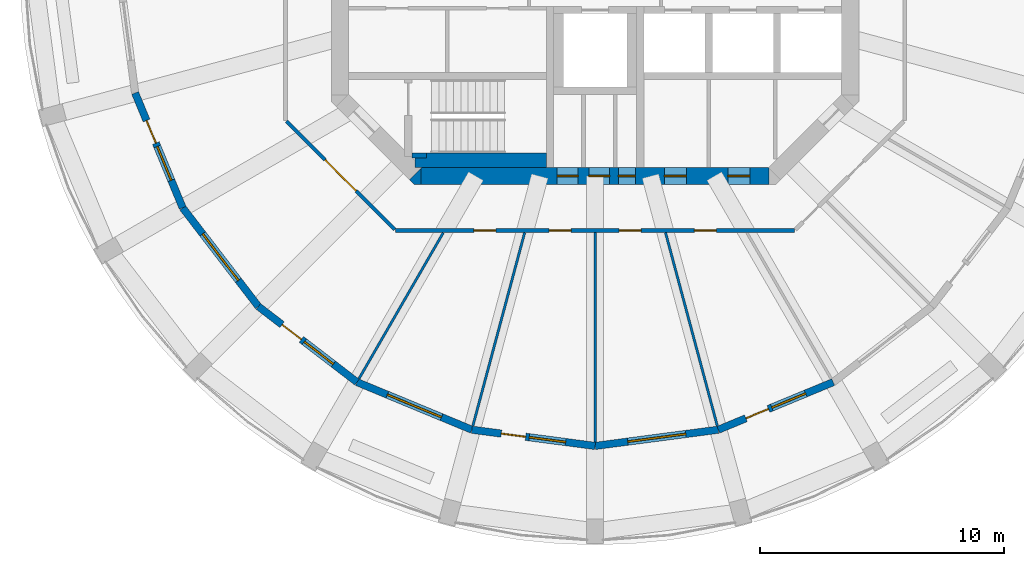
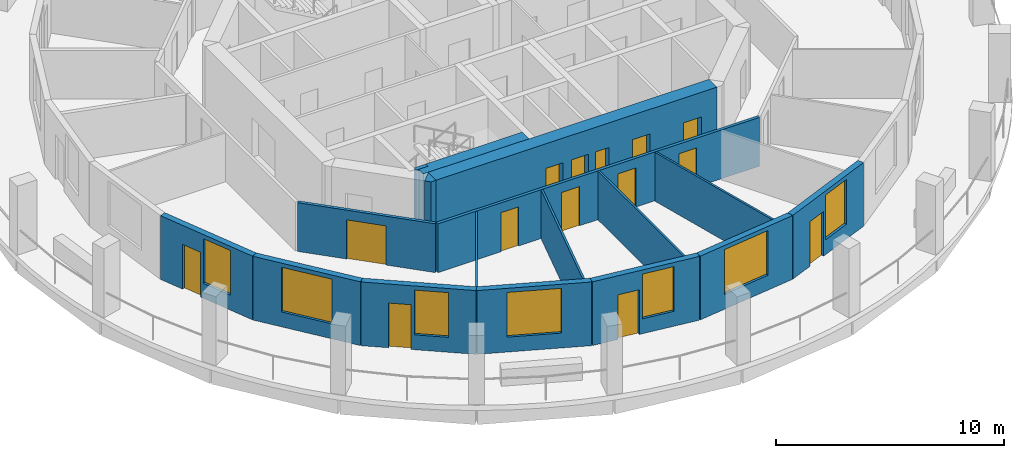
# One storey, part 2 of 8: 17 walls, 14 doors, 7 windows, 21 openings.
"""IFC4 building model written with IfcOpenShell, lengths in metres."""

from ifc_helpers import new_model, si_unit, direction, frame, frame_2d, origin, place, context, subcontext, project, spatial, polyline, rectangle, outline, extrude, material, layer, layer_set, type_object, element, fill, save


model = new_model("IFC4")

# Units and contexts
model_context = context("Model", 3, precision=1e-05, world=origin(), true_north=direction((0.0, 1.0)))
body_context = subcontext(model_context, "Body", "Model", "MODEL_VIEW")
ifc_project = project(units=[si_unit("LENGTHUNIT", "METRE"), si_unit("AREAUNIT", "SQUARE_METRE"), si_unit("VOLUMEUNIT", "CUBIC_METRE"), si_unit("PLANEANGLEUNIT", "RADIAN"), si_unit("MASSUNIT", "GRAM", prefix="KILO")], contexts=[model_context])

# Site, building, storey
site_placement = place(None, origin())
site = spatial("IfcSite", under=ifc_project, at=site_placement, CompositionType="ELEMENT")
building_placement = place(site_placement, origin())
building = spatial("IfcBuilding", under=site, at=building_placement, Name="Torre Triforio", CompositionType="ELEMENT")
storey_placement = place(building_placement, frame((0.0, 0.0, 207.60009765625)))
storey = spatial("IfcBuildingStorey", under=building, at=storey_placement, Name="L47", CompositionType="ELEMENT", Elevation=207.60009765625)

# Wall, openings, doors
ifc_material_1 = material(Name="Concrete C50", Category="concrete")
ifc_layer_1 = layer(ifc_material_1, 0.699951171875)
ifc_layer_set_1 = layer_set([ifc_layer_1], Name="Concrete C50")
wall_type_1 = type_object("IfcWallType", Name="Core wall 700 mm C50 EI 120", PredefinedType="SHEAR", material=ifc_layer_set_1)
wall_1_placement = place(storey_placement, frame((-7.1298828125, -8.449951171875, -0.280029296875), z_axis=(0.0, 0.0, 1.0), x_axis=(1.0, 0.0, 0.0)))
wall_1 = element("IfcWall", 1, at=wall_1_placement, inside=storey, type_object=wall_type_1, Name="Core wall", PredefinedType="SHEAR", context=body_context, shape_type="SweptSolid", body=[
    extrude(rectangle(XDim=14.259765625, YDim=0.699951171875, at=frame_2d((7.1298828125, 0.0))), origin(), (0.0, 0.0, 1.0), 3.699951171875),
])
opening_1_placement = place(wall_1_placement, frame((8.080078125, 0.0, 0.280029296875)))
opening_1 = element("IfcOpeningElement", 2, at=opening_1_placement, cuts=wall_1, Name="Opening RISER-S", PredefinedType="OPENING", context=body_context, shape_type="SweptSolid", body=[
    extrude(rectangle(XDim=0.699951171875, YDim=2.10009765625, at=frame_2d((0.35009765625, 1.050048828125))), frame((0.0, 0.35986328125, 0.0), z_axis=(0.0, -1.0, 0.0), x_axis=(1.0, 0.0, 0.0)), (0.0, 0.0, 1.0), 0.719970703125),
])
opening_2_placement = place(wall_1_placement, frame((5.580078125, 0.0, 0.280029296875)))
opening_2 = element("IfcOpeningElement", 3, at=opening_2_placement, cuts=wall_1, Name="Opening SW-01A", PredefinedType="OPENING", context=body_context, shape_type="SweptSolid", body=[
    extrude(rectangle(XDim=0.85009765625, YDim=2.10009765625, at=frame_2d((0.425048828125, 1.050048828125))), frame((0.0, 0.35986328125, 0.0), z_axis=(0.0, -1.0, 0.0), x_axis=(1.0, 0.0, 0.0)), (0.0, 0.0, 1.0), 0.719970703125),
])
opening_3_placement = place(wall_1_placement, frame((6.8798828125, 0.0, 0.280029296875)))
opening_3 = element("IfcOpeningElement", 4, at=opening_3_placement, cuts=wall_1, Name="Opening SW-02", PredefinedType="OPENING", context=body_context, shape_type="SweptSolid", body=[
    extrude(rectangle(XDim=0.85009765625, YDim=2.10009765625, at=frame_2d((0.425048828125, 1.050048828125))), frame((0.0, 0.35986328125, 0.0), z_axis=(0.0, -1.0, 0.0), x_axis=(1.0, 0.0, 0.0)), (0.0, 0.0, 1.0), 0.719970703125),
])
opening_4_placement = place(wall_1_placement, frame((9.967041015625, 0.0, 0.280029296875)))
opening_4 = element("IfcOpeningElement", 5, at=opening_4_placement, cuts=wall_1, Name="Opening SE-01A", PredefinedType="OPENING", context=body_context, shape_type="SweptSolid", body=[
    extrude(rectangle(XDim=0.89990234375, YDim=2.10009765625, at=frame_2d((0.449951171875, 1.050048828125))), frame((0.0, 0.35986328125, 0.0), z_axis=(0.0, -1.0, 0.0), x_axis=(1.0, 0.0, 0.0)), (0.0, 0.0, 1.0), 0.719970703125),
])
opening_5_placement = place(wall_1_placement, frame((12.56689453125, 0.0, 0.280029296875)))
opening_5 = element("IfcOpeningElement", 6, at=opening_5_placement, cuts=wall_1, Name="Opening SE-02", PredefinedType="OPENING", context=body_context, shape_type="SweptSolid", body=[
    extrude(rectangle(XDim=0.89990234375, YDim=2.10009765625, at=frame_2d((0.449951171875, 1.050048828125))), frame((0.0, 0.35986328125, 0.0), z_axis=(0.0, -1.0, 0.0), x_axis=(1.0, 0.0, 0.0)), (0.0, 0.0, 1.0), 0.719970703125),
])
ifc_material_2 = material(Name="Hollow metal fire door leaf")
door_type_1 = type_object("IfcDoorType", Name="Riser door 700 x 2100 EI 60", OperationType="NOTDEFINED", PredefinedType="DOOR", material=ifc_material_2)
door_1_placement = place(opening_1_placement, origin())
door_1 = element("IfcDoor", 7, at=door_1_placement, inside=storey, type_object=door_type_1, Name="Core door RISER-S", OperationType="SINGLE_SWING_RIGHT", OverallHeight=2.10009765625, OverallWidth=0.699951171875, PredefinedType="DOOR", context=body_context, shape_type="SweptSolid", body=[
    extrude(rectangle(XDim=0.699951171875, YDim=2.10009765625, at=frame_2d((0.35009765625, 1.050048828125))), frame((0.0, 0.02490234375, 0.0), z_axis=(0.0, -1.0, 0.0), x_axis=(1.0, 0.0, 0.0)), (0.0, 0.0, 1.0), 0.050048828125),
])
fill(opening_1, door_1)
door_type_2 = type_object("IfcDoorType", Name="Room door 850 x 2100 EI 60", OperationType="NOTDEFINED", PredefinedType="DOOR", material=ifc_material_2)
door_2_placement = place(opening_2_placement, origin())
door_2 = element("IfcDoor", 8, at=door_2_placement, inside=storey, type_object=door_type_2, Name="Core door SW-01", OperationType="SINGLE_SWING_RIGHT", OverallHeight=2.10009765625, OverallWidth=0.85009765625, PredefinedType="DOOR", context=body_context, shape_type="SweptSolid", body=[
    extrude(rectangle(XDim=0.85009765625, YDim=2.10009765625, at=frame_2d((0.425048828125, 1.050048828125))), frame((0.0, 0.02490234375, 0.0), z_axis=(0.0, -1.0, 0.0), x_axis=(1.0, 0.0, 0.0)), (0.0, 0.0, 1.0), 0.050048828125),
])
fill(opening_2, door_2)
door_3_placement = place(opening_3_placement, origin())
door_3 = element("IfcDoor", 9, at=door_3_placement, inside=storey, type_object=door_type_2, Name="Core door SW-02", OperationType="SINGLE_SWING_LEFT", OverallHeight=2.10009765625, OverallWidth=0.85009765625, PredefinedType="DOOR", context=body_context, shape_type="SweptSolid", body=[
    extrude(rectangle(XDim=0.85009765625, YDim=2.10009765625, at=frame_2d((0.425048828125, 1.050048828125))), frame((0.0, 0.02490234375, 0.0), z_axis=(0.0, -1.0, 0.0), x_axis=(1.0, 0.0, 0.0)), (0.0, 0.0, 1.0), 0.050048828125),
])
fill(opening_3, door_3)
door_type_3 = type_object("IfcDoorType", Name="Room door 900 x 2100 EI 60", OperationType="NOTDEFINED", PredefinedType="DOOR", material=ifc_material_2)
door_4_placement = place(opening_4_placement, origin())
door_4 = element("IfcDoor", 10, at=door_4_placement, inside=storey, type_object=door_type_3, Name="Core door SE-01", OperationType="SINGLE_SWING_LEFT", OverallHeight=2.10009765625, OverallWidth=0.89990234375, PredefinedType="DOOR", context=body_context, shape_type="SweptSolid", body=[
    extrude(rectangle(XDim=0.89990234375, YDim=2.10009765625, at=frame_2d((0.449951171875, 1.050048828125))), frame((0.0, 0.02490234375, 0.0), z_axis=(0.0, -1.0, 0.0), x_axis=(1.0, 0.0, 0.0)), (0.0, 0.0, 1.0), 0.050048828125),
])
fill(opening_4, door_4)
door_5_placement = place(opening_5_placement, origin())
door_5 = element("IfcDoor", 11, at=door_5_placement, inside=storey, type_object=door_type_3, Name="Core door SE-02", OperationType="SINGLE_SWING_LEFT", OverallHeight=2.10009765625, OverallWidth=0.89990234375, PredefinedType="DOOR", context=body_context, shape_type="SweptSolid", body=[
    extrude(rectangle(XDim=0.89990234375, YDim=2.10009765625, at=frame_2d((0.449951171875, 1.050048828125))), frame((0.0, 0.02490234375, 0.0), z_axis=(0.0, -1.0, 0.0), x_axis=(1.0, 0.0, 0.0)), (0.0, 0.0, 1.0), 0.050048828125),
])
fill(opening_5, door_5)

# Wall
wall_2_placement = place(storey_placement, frame((0.0, 0.0, -0.280029296875)))
element("IfcWall", 12, at=wall_2_placement, inside=storey, type_object=wall_type_1, Name="Core wall", PredefinedType="SHEAR", context=body_context, shape_type="SweptSolid", body=[
    extrude(outline(polyline([(-7.389892578125, -8.800048828125), (-7.594970703125, -8.594970703125), (-7.594970703125, -8.594970703125), (-7.594970703125, -8.594970703125), (-7.1298828125, -8.1298828125), (-7.1298828125, -8.800048828125), (-7.1298828125, -8.800048828125), (-7.389892578125, -8.800048828125)])), origin(), (0.0, 0.0, 1.0), 3.699951171875),
])

# Wall, openings, doors
ifc_material_3 = material(Name="Plasterboard on metal studs")
ifc_layer_2 = layer(ifc_material_3, 0.14990234375)
ifc_layer_set_2 = layer_set([ifc_layer_2], Name="Plasterboard on metal studs")
wall_type_2 = type_object("IfcWallType", Name="Corridor and tenancy wall 150 mm EI 60", PredefinedType="PARTITIONING", material=ifc_layer_set_2)
wall_3_placement = place(storey_placement, frame((8.16650390625, -10.675048828125, 0.0), z_axis=(0.0, 0.0, 1.0), x_axis=(-1.0, 0.0, 0.0)))
wall_3 = element("IfcWall", 13, at=wall_3_placement, inside=storey, type_object=wall_type_2, Name="Partition 2", PredefinedType="PARTITIONING", context=body_context, shape_type="SweptSolid", body=[
    extrude(rectangle(XDim=16.3330078125, YDim=0.14990234375, at=frame_2d((8.16650390625, 0.0))), origin(), (0.0, 0.0, 1.0), 2.619873046875),
])
opening_6_placement = place(wall_3_placement, frame((12.232421875, 0.0, 0.0)))
opening_6 = element("IfcOpeningElement", 14, at=opening_6_placement, cuts=wall_3, Name="Opening O5-02", PredefinedType="OPENING", context=body_context, shape_type="SweptSolid", body=[
    extrude(rectangle(XDim=0.89990234375, YDim=2.10009765625, at=frame_2d((0.449951171875, 1.050048828125))), frame((0.0, 0.0849609375, 0.0), z_axis=(0.0, -1.0, 0.0), x_axis=(1.0, 0.0, 0.0)), (0.0, 0.0, 1.0), 0.169921875),
])
opening_7_placement = place(wall_3_placement, frame((9.147705078125, 0.0, 0.0)))
opening_7 = element("IfcOpeningElement", 15, at=opening_7_placement, cuts=wall_3, Name="Opening O5-03", PredefinedType="OPENING", context=body_context, shape_type="SweptSolid", body=[
    extrude(rectangle(XDim=0.89990234375, YDim=2.10009765625, at=frame_2d((0.449951171875, 1.050048828125))), frame((0.0, 0.0849609375, 0.0), z_axis=(0.0, -1.0, 0.0), x_axis=(1.0, 0.0, 0.0)), (0.0, 0.0, 1.0), 0.169921875),
])
opening_8_placement = place(wall_3_placement, frame((6.285400390625, 0.0, 0.0)))
opening_8 = element("IfcOpeningElement", 16, at=opening_8_placement, cuts=wall_3, Name="Opening O5-04", PredefinedType="OPENING", context=body_context, shape_type="SweptSolid", body=[
    extrude(rectangle(XDim=0.89990234375, YDim=2.10009765625, at=frame_2d((0.449951171875, 1.050048828125))), frame((0.0, 0.0849609375, 0.0), z_axis=(0.0, -1.0, 0.0), x_axis=(1.0, 0.0, 0.0)), (0.0, 0.0, 1.0), 0.169921875),
])
opening_9_placement = place(wall_3_placement, frame((3.200927734375, 0.0, 0.0)))
opening_9 = element("IfcOpeningElement", 17, at=opening_9_placement, cuts=wall_3, Name="Opening O5-05", PredefinedType="OPENING", context=body_context, shape_type="SweptSolid", body=[
    extrude(rectangle(XDim=0.89990234375, YDim=2.10009765625, at=frame_2d((0.449951171875, 1.050048828125))), frame((0.0, 0.0849609375, 0.0), z_axis=(0.0, -1.0, 0.0), x_axis=(1.0, 0.0, 0.0)), (0.0, 0.0, 1.0), 0.169921875),
])
ifc_material_4 = material(Name="Timber", Category="wood")
door_type_4 = type_object("IfcDoorType", Name="Door 900 x 2100 single leaf EI 30", OperationType="NOTDEFINED", PredefinedType="DOOR", material=ifc_material_4)
door_6_placement = place(opening_6_placement, origin())
door_6 = element("IfcDoor", 18, at=door_6_placement, inside=storey, type_object=door_type_4, Name="Door O5-02", OperationType="SINGLE_SWING_LEFT", OverallHeight=2.10009765625, OverallWidth=0.89990234375, PredefinedType="DOOR", context=body_context, shape_type="SweptSolid", body=[
    extrude(rectangle(XDim=0.89990234375, YDim=2.10009765625, at=frame_2d((0.449951171875, 1.050048828125))), frame((0.0, 0.02490234375, 0.0), z_axis=(0.0, -1.0, 0.0), x_axis=(1.0, 0.0, 0.0)), (0.0, 0.0, 1.0), 0.050048828125),
])
fill(opening_6, door_6)
door_7_placement = place(opening_7_placement, origin())
door_7 = element("IfcDoor", 19, at=door_7_placement, inside=storey, type_object=door_type_4, Name="Door O5-03", OperationType="SINGLE_SWING_LEFT", OverallHeight=2.10009765625, OverallWidth=0.89990234375, PredefinedType="DOOR", context=body_context, shape_type="SweptSolid", body=[
    extrude(rectangle(XDim=0.89990234375, YDim=2.10009765625, at=frame_2d((0.449951171875, 1.050048828125))), frame((0.0, 0.02490234375, 0.0), z_axis=(0.0, -1.0, 0.0), x_axis=(1.0, 0.0, 0.0)), (0.0, 0.0, 1.0), 0.050048828125),
])
fill(opening_7, door_7)
door_8_placement = place(opening_8_placement, origin())
door_8 = element("IfcDoor", 20, at=door_8_placement, inside=storey, type_object=door_type_4, Name="Door O5-04", OperationType="SINGLE_SWING_LEFT", OverallHeight=2.10009765625, OverallWidth=0.89990234375, PredefinedType="DOOR", context=body_context, shape_type="SweptSolid", body=[
    extrude(rectangle(XDim=0.89990234375, YDim=2.10009765625, at=frame_2d((0.449951171875, 1.050048828125))), frame((0.0, 0.02490234375, 0.0), z_axis=(0.0, -1.0, 0.0), x_axis=(1.0, 0.0, 0.0)), (0.0, 0.0, 1.0), 0.050048828125),
])
fill(opening_8, door_8)
door_9_placement = place(opening_9_placement, origin())
door_9 = element("IfcDoor", 21, at=door_9_placement, inside=storey, type_object=door_type_4, Name="Door O5-05", OperationType="SINGLE_SWING_LEFT", OverallHeight=2.10009765625, OverallWidth=0.89990234375, PredefinedType="DOOR", context=body_context, shape_type="SweptSolid", body=[
    extrude(rectangle(XDim=0.89990234375, YDim=2.10009765625, at=frame_2d((0.449951171875, 1.050048828125))), frame((0.0, 0.02490234375, 0.0), z_axis=(0.0, -1.0, 0.0), x_axis=(1.0, 0.0, 0.0)), (0.0, 0.0, 1.0), 0.050048828125),
])
fill(opening_9, door_9)

# Wall, opening, door
wall_4_placement = place(storey_placement, frame((-8.20361328125, -10.637939453125, 0.0), z_axis=(0.0, 0.0, 1.0), x_axis=(-0.707106781187, 0.707106781187, 0.0)))
wall_4 = element("IfcWall", 22, at=wall_4_placement, inside=storey, type_object=wall_type_2, Name="Partition 3", PredefinedType="PARTITIONING", context=body_context, shape_type="SweptSolid", body=[
    extrude(rectangle(XDim=6.27099609375, YDim=0.14990234375, at=frame_2d((3.135498046875, 0.0))), origin(), (0.0, 0.0, 1.0), 2.619873046875),
])
opening_10_placement = place(wall_4_placement, frame((2.2353515625, 0.0, 0.0)))
opening_10 = element("IfcOpeningElement", 23, at=opening_10_placement, cuts=wall_4, Name="Opening O5-01", PredefinedType="OPENING", context=body_context, shape_type="SweptSolid", body=[
    extrude(rectangle(XDim=1.800048828125, YDim=2.10009765625, at=frame_2d((0.89990234375, 1.050048828125))), frame((0.0, 0.0849609375, 0.0), z_axis=(0.0, -1.0, 0.0), x_axis=(1.0, 0.0, 0.0)), (0.0, 0.0, 1.0), 0.169921875),
])
door_type_5 = type_object("IfcDoorType", Name="Door 1800 x 2100 double leaf EI 30", OperationType="DOUBLE_DOOR_SINGLE_SWING", PredefinedType="DOOR", material=ifc_material_4)
door_10_placement = place(opening_10_placement, origin())
door_10 = element("IfcDoor", 24, at=door_10_placement, inside=storey, type_object=door_type_5, Name="Door O5-01", OperationType="DOUBLE_DOOR_SINGLE_SWING", OverallHeight=2.10009765625, OverallWidth=1.800048828125, PredefinedType="DOOR", context=body_context, shape_type="SweptSolid", body=[
    extrude(rectangle(XDim=1.800048828125, YDim=2.10009765625, at=frame_2d((0.89990234375, 1.050048828125))), frame((0.0, 0.02490234375, 0.0), z_axis=(0.0, -1.0, 0.0), x_axis=(1.0, 0.0, 0.0)), (0.0, 0.0, 1.0), 0.050048828125),
])
fill(opening_10, door_10)

# Walls
ifc_layer_3 = layer(ifc_material_3, 0.10009765625)
ifc_layer_set_3 = layer_set([ifc_layer_3], Name="Plasterboard on metal studs")
wall_type_3 = type_object("IfcWallType", Name="Partition 100 mm board on metal studs", PredefinedType="PARTITIONING", material=ifc_layer_set_3)
wall_5_placement = place(storey_placement, frame((-6.220703125, -10.774658203125, 0.0), z_axis=(0.0, 0.0, 1.0), x_axis=(-0.500015661236, -0.866016361577, 0.0)))
element("IfcWall", 25, at=wall_5_placement, inside=storey, type_object=wall_type_3, Name="Partition 20", PredefinedType="PARTITIONING", context=body_context, shape_type="SweptSolid", body=[
    extrude(rectangle(XDim=6.895263671875, YDim=0.10009765625, at=frame_2d((3.44775390625, 0.0))), origin(), (0.0, 0.0, 1.0), 2.619873046875),
])
wall_6_placement = place(storey_placement, frame((-2.88427734375, -10.764404296875, 0.0), z_axis=(0.0, 0.0, 1.0), x_axis=(-0.258818011497, -0.965926103242, 0.0)))
element("IfcWall", 26, at=wall_6_placement, inside=storey, type_object=wall_type_3, Name="Partition 21", PredefinedType="PARTITIONING", context=body_context, shape_type="SweptSolid", body=[
    extrude(rectangle(XDim=8.1923828125, YDim=0.10009765625, at=frame_2d((4.09619140625, 0.0))), origin(), (0.0, 0.0, 1.0), 2.619873046875),
])
wall_7_placement = place(storey_placement, frame((0.0, -10.75, 0.0), z_axis=(0.0, 0.0, 1.0), x_axis=(0.0, -1.0, 0.0)))
element("IfcWall", 27, at=wall_7_placement, inside=storey, type_object=wall_type_3, Name="Partition 22", PredefinedType="PARTITIONING", context=body_context, shape_type="SweptSolid", body=[
    extrude(rectangle(XDim=8.586669921875, YDim=0.10009765625, at=frame_2d((4.29345703125, 0.0))), origin(), (0.0, 0.0, 1.0), 2.619873046875),
])
wall_8_placement = place(storey_placement, frame((2.88427734375, -10.764404296875, 0.0), z_axis=(0.0, 0.0, 1.0), x_axis=(0.258818011497, -0.965926103242, 0.0)))
element("IfcWall", 28, at=wall_8_placement, inside=storey, type_object=wall_type_3, Name="Partition 23", PredefinedType="PARTITIONING", context=body_context, shape_type="SweptSolid", body=[
    extrude(rectangle(XDim=8.1923828125, YDim=0.10009765625, at=frame_2d((4.09619140625, 0.0))), origin(), (0.0, 0.0, 1.0), 2.619873046875),
])
ifc_layer_4 = layer(ifc_material_1, 0.199951171875)
ifc_layer_set_4 = layer_set([ifc_layer_4], Name="Concrete C50")
wall_type_4 = type_object("IfcWallType", Name="Stair wall 200 mm C50 EI 120", PredefinedType="SHEAR", material=ifc_layer_set_4)
wall_9_placement = place(storey_placement, frame((-7.5, -7.60009765625, 0.0), z_axis=(0.0, 0.0, 1.0), x_axis=(1.0, 0.0, 0.0)))
element("IfcWall", 29, at=wall_9_placement, inside=storey, type_object=wall_type_4, Name="Stair wall", PredefinedType="SHEAR", context=body_context, shape_type="SweptSolid", body=[
    extrude(rectangle(XDim=0.60009765625, YDim=0.199951171875, at=frame_2d((0.300048828125, 0.0))), origin(), (0.0, 0.0, 1.0), 3.419921875),
])
ifc_layer_5 = layer(ifc_material_1, 0.60009765625)
ifc_layer_set_5 = layer_set([ifc_layer_5], Name="Concrete C50")
wall_type_5 = type_object("IfcWallType", Name="Stair wall 600 mm C50 EI 120", PredefinedType="SHEAR", material=ifc_layer_set_5)
wall_10_placement = place(storey_placement, frame((-7.3701171875, -7.800048828125, 0.0), z_axis=(0.0, 0.0, 1.0), x_axis=(1.0, 0.0, 0.0)))
element("IfcWall", 30, at=wall_10_placement, inside=storey, type_object=wall_type_5, Name="Stair wall", PredefinedType="SHEAR", context=body_context, shape_type="SweptSolid", body=[
    extrude(rectangle(XDim=5.3701171875, YDim=0.60009765625, at=frame_2d((2.68505859375, 0.0))), origin(), (0.0, 0.0, 1.0), 3.419921875),
])

# Wall, openings, door, window
ifc_material_5 = material(Name="Limestone cladding", Category="masonry")
ifc_layer_6 = layer(ifc_material_5, 0.10009765625)
ifc_material_6 = material(Name="Concrete C40", Category="concrete")
ifc_layer_7 = layer(ifc_material_6, 0.199951171875)
ifc_layer_set_6 = layer_set([ifc_layer_6, ifc_layer_7], Name="Limestone cladding / Concrete C40")
wall_type_6 = type_object("IfcWallType", Name="Stone-faced composite wall 300", PredefinedType="STANDARD", material=ifc_layer_set_6)
wall_11_placement = place(storey_placement, frame((-18.835693359375, -5.047119140625, 0.0), z_axis=(0.0, 0.0, 1.0), x_axis=(0.382724538613, -0.923862504675, 0.0)))
wall_11 = element("IfcWall", 31, at=wall_11_placement, inside=storey, type_object=wall_type_6, Name="External wall L47 bay 14", PredefinedType="STANDARD", context=body_context, shape_type="SweptSolid", body=[
    extrude(rectangle(XDim=5.090576171875, YDim=0.300048828125, at=frame_2d((2.54541015625, 0.0))), origin(), (0.0, 0.0, 1.0), 3.419921875),
])
opening_11_placement = place(wall_11_placement, frame((1.22021484375, 0.0, 0.0)))
opening_11 = element("IfcOpeningElement", 32, at=opening_11_placement, cuts=wall_11, Name="Opening O5-D14", PredefinedType="OPENING", context=body_context, shape_type="SweptSolid", body=[
    extrude(rectangle(XDim=1.0, YDim=2.39990234375, at=frame_2d((0.5, 1.199951171875))), frame((0.0, 0.159912109375, 0.0), z_axis=(0.0, -1.0, 0.0), x_axis=(1.0, 0.0, 0.0)), (0.0, 0.0, 1.0), 0.320068359375),
])
opening_12_placement = place(wall_11_placement, frame((2.370361328125, 0.0, 0.800048828125)))
opening_12 = element("IfcOpeningElement", 33, at=opening_12_placement, cuts=wall_11, Name="Opening O5-W14A", PredefinedType="OPENING", context=body_context, shape_type="SweptSolid", body=[
    extrude(rectangle(XDim=1.5, YDim=2.39990234375, at=frame_2d((0.75, 1.199951171875))), frame((0.0, 0.159912109375, 0.0), z_axis=(0.0, -1.0, 0.0), x_axis=(1.0, 0.0, 0.0)), (0.0, 0.0, 1.0), 0.320068359375),
])
ifc_material_7 = material(Name="Aluminium frame with clear double glazing", Category="aluminium")
door_type_6 = type_object("IfcDoorType", Name="Loggia door 1000 x 2400", OperationType="NOTDEFINED", PredefinedType="DOOR", material=ifc_material_7)
door_11_placement = place(opening_11_placement, origin())
door_11 = element("IfcDoor", 34, at=door_11_placement, inside=storey, type_object=door_type_6, Name="Loggia door L47 bay 14", OperationType="SINGLE_SWING_LEFT", OverallHeight=2.39990234375, OverallWidth=1.0, PredefinedType="DOOR", context=body_context, shape_type="SweptSolid", body=[
    extrude(rectangle(XDim=1.0, YDim=2.39990234375, at=frame_2d((0.5, 1.199951171875))), frame((0.0, 0.02490234375, 0.0), z_axis=(0.0, -1.0, 0.0), x_axis=(1.0, 0.0, 0.0)), (0.0, 0.0, 1.0), 0.050048828125),
])
fill(opening_11, door_11)
window_type_1 = type_object("IfcWindowType", Name="Side window 1500 x 2400", PartitioningType="SINGLE_PANEL", PredefinedType="WINDOW", material=ifc_material_7)
window_1_placement = place(opening_12_placement, origin())
window_1 = element("IfcWindow", 35, at=window_1_placement, inside=storey, type_object=window_type_1, Name="Side window EWN14 L47 bay 14", OverallHeight=2.39990234375, OverallWidth=1.5, PartitioningType="SINGLE_PANEL", PredefinedType="WINDOW", context=body_context, shape_type="SweptSolid", body=[
    extrude(rectangle(XDim=1.5, YDim=2.39990234375, at=frame_2d((0.75, 1.199951171875))), frame((0.0, 0.030029296875, 0.0), z_axis=(0.0, -1.0, 0.0), x_axis=(1.0, 0.0, 0.0)), (0.0, 0.0, 1.0), 0.06005859375),
])
fill(opening_12, window_1)

# Wall, opening, window
wall_12_placement = place(storey_placement, frame((-16.887451171875, -9.75, 0.0), z_axis=(0.0, 0.0, 1.0), x_axis=(0.608757714995, -0.79335619014, 0.0)))
wall_12 = element("IfcWall", 36, at=wall_12_placement, inside=storey, type_object=wall_type_6, Name="External wall L47 bay 15", PredefinedType="STANDARD", context=body_context, shape_type="SweptSolid", body=[
    extrude(rectangle(XDim=5.090576171875, YDim=0.300048828125, at=frame_2d((2.54541015625, 0.0))), origin(), (0.0, 0.0, 1.0), 3.419921875),
])
opening_13_placement = place(wall_12_placement, frame((1.34521484375, 0.0, 0.800048828125)))
opening_13 = element("IfcOpeningElement", 37, at=opening_13_placement, cuts=wall_12, Name="Opening O5-W15", PredefinedType="OPENING", context=body_context, shape_type="SweptSolid", body=[
    extrude(rectangle(XDim=2.39990234375, YDim=2.39990234375, at=frame_2d((1.199951171875, 1.199951171875))), frame((0.0, 0.159912109375, 0.0), z_axis=(0.0, -1.0, 0.0), x_axis=(1.0, 0.0, 0.0)), (0.0, 0.0, 1.0), 0.320068359375),
])
window_type_2 = type_object("IfcWindowType", Name="Punched window 2400 x 2400", PartitioningType="DOUBLE_PANEL_VERTICAL", PredefinedType="WINDOW", material=ifc_material_7)
window_2_placement = place(opening_13_placement, origin())
window_2 = element("IfcWindow", 38, at=window_2_placement, inside=storey, type_object=window_type_2, Name="Window EWN4 L47 bay 15", OverallHeight=2.39990234375, OverallWidth=2.39990234375, PartitioningType="SINGLE_PANEL", PredefinedType="WINDOW", context=body_context, shape_type="SweptSolid", body=[
    extrude(rectangle(XDim=2.39990234375, YDim=2.39990234375, at=frame_2d((1.199951171875, 1.199951171875))), frame((0.0, 0.030029296875, 0.0), z_axis=(0.0, -1.0, 0.0), x_axis=(1.0, 0.0, 0.0)), (0.0, 0.0, 1.0), 0.06005859375),
])
fill(opening_13, window_2)

# Wall, openings, door, window
wall_13_placement = place(storey_placement, frame((-13.78857421875, -13.78857421875, 0.0), z_axis=(0.0, 0.0, 1.0), x_axis=(0.79335619014, -0.608757714995, 0.0)))
wall_13 = element("IfcWall", 39, at=wall_13_placement, inside=storey, type_object=wall_type_6, Name="External wall L47 bay 16", PredefinedType="STANDARD", context=body_context, shape_type="SweptSolid", body=[
    extrude(rectangle(XDim=5.090576171875, YDim=0.300048828125, at=frame_2d((2.54541015625, 0.0))), origin(), (0.0, 0.0, 1.0), 3.419921875),
])
opening_14_placement = place(wall_13_placement, frame((1.22021484375, 0.0, 0.0)))
opening_14 = element("IfcOpeningElement", 40, at=opening_14_placement, cuts=wall_13, Name="Opening O5-D16", PredefinedType="OPENING", context=body_context, shape_type="SweptSolid", body=[
    extrude(rectangle(XDim=1.0, YDim=2.39990234375, at=frame_2d((0.5, 1.199951171875))), frame((0.0, 0.159912109375, 0.0), z_axis=(0.0, -1.0, 0.0), x_axis=(1.0, 0.0, 0.0)), (0.0, 0.0, 1.0), 0.320068359375),
])
opening_15_placement = place(wall_13_placement, frame((2.370361328125, 0.0, 0.800048828125)))
opening_15 = element("IfcOpeningElement", 41, at=opening_15_placement, cuts=wall_13, Name="Opening O5-W16A", PredefinedType="OPENING", context=body_context, shape_type="SweptSolid", body=[
    extrude(rectangle(XDim=1.5, YDim=2.39990234375, at=frame_2d((0.75, 1.199951171875))), frame((0.0, 0.159912109375, 0.0), z_axis=(0.0, -1.0, 0.0), x_axis=(1.0, 0.0, 0.0)), (0.0, 0.0, 1.0), 0.320068359375),
])
door_12_placement = place(opening_14_placement, origin())
door_12 = element("IfcDoor", 42, at=door_12_placement, inside=storey, type_object=door_type_6, Name="Loggia door L47 bay 16", OperationType="SINGLE_SWING_LEFT", OverallHeight=2.39990234375, OverallWidth=1.0, PredefinedType="DOOR", context=body_context, shape_type="SweptSolid", body=[
    extrude(rectangle(XDim=1.0, YDim=2.39990234375, at=frame_2d((0.5, 1.199951171875))), frame((0.0, 0.02490234375, 0.0), z_axis=(0.0, -1.0, 0.0), x_axis=(1.0, 0.0, 0.0)), (0.0, 0.0, 1.0), 0.050048828125),
])
fill(opening_14, door_12)
window_3_placement = place(opening_15_placement, origin())
window_3 = element("IfcWindow", 43, at=window_3_placement, inside=storey, type_object=window_type_1, Name="Side window EWN14 L47 bay 16", OverallHeight=2.39990234375, OverallWidth=1.5, PartitioningType="SINGLE_PANEL", PredefinedType="WINDOW", context=body_context, shape_type="SweptSolid", body=[
    extrude(rectangle(XDim=1.5, YDim=2.39990234375, at=frame_2d((0.75, 1.199951171875))), frame((0.0, 0.030029296875, 0.0), z_axis=(0.0, -1.0, 0.0), x_axis=(1.0, 0.0, 0.0)), (0.0, 0.0, 1.0), 0.06005859375),
])
fill(opening_15, window_3)

# Wall, opening, window
wall_14_placement = place(storey_placement, frame((-9.75, -16.887451171875, 0.0), z_axis=(0.0, 0.0, 1.0), x_axis=(0.923862504675, -0.382724538613, 0.0)))
wall_14 = element("IfcWall", 44, at=wall_14_placement, inside=storey, type_object=wall_type_6, Name="External wall L47 bay 17", PredefinedType="STANDARD", context=body_context, shape_type="SweptSolid", body=[
    extrude(rectangle(XDim=5.090576171875, YDim=0.300048828125, at=frame_2d((2.54541015625, 0.0))), origin(), (0.0, 0.0, 1.0), 3.419921875),
])
opening_16_placement = place(wall_14_placement, frame((1.34521484375, 0.0, 0.800048828125)))
opening_16 = element("IfcOpeningElement", 45, at=opening_16_placement, cuts=wall_14, Name="Opening O5-W17", PredefinedType="OPENING", context=body_context, shape_type="SweptSolid", body=[
    extrude(rectangle(XDim=2.39990234375, YDim=2.39990234375, at=frame_2d((1.199951171875, 1.199951171875))), frame((0.0, 0.159912109375, 0.0), z_axis=(0.0, -1.0, 0.0), x_axis=(1.0, 0.0, 0.0)), (0.0, 0.0, 1.0), 0.320068359375),
])
window_4_placement = place(opening_16_placement, origin())
window_4 = element("IfcWindow", 46, at=window_4_placement, inside=storey, type_object=window_type_2, Name="Window EWN4 L47 bay 17", OverallHeight=2.39990234375, OverallWidth=2.39990234375, PartitioningType="SINGLE_PANEL", PredefinedType="WINDOW", context=body_context, shape_type="SweptSolid", body=[
    extrude(rectangle(XDim=2.39990234375, YDim=2.39990234375, at=frame_2d((1.199951171875, 1.199951171875))), frame((0.0, 0.030029296875, 0.0), z_axis=(0.0, -1.0, 0.0), x_axis=(1.0, 0.0, 0.0)), (0.0, 0.0, 1.0), 0.06005859375),
])
fill(opening_16, window_4)

# Wall, openings, door, window
wall_15_placement = place(storey_placement, frame((-5.047119140625, -18.835693359375, 0.0), z_axis=(0.0, 0.0, 1.0), x_axis=(0.99144890792, -0.130495451964, 0.0)))
wall_15 = element("IfcWall", 47, at=wall_15_placement, inside=storey, type_object=wall_type_6, Name="External wall L47 bay 18", PredefinedType="STANDARD", context=body_context, shape_type="SweptSolid", body=[
    extrude(rectangle(XDim=5.090576171875, YDim=0.300048828125, at=frame_2d((2.54541015625, 0.0))), origin(), (0.0, 0.0, 1.0), 3.419921875),
])
opening_17_placement = place(wall_15_placement, frame((1.22021484375, 0.0, 0.0)))
opening_17 = element("IfcOpeningElement", 48, at=opening_17_placement, cuts=wall_15, Name="Opening O5-D18", PredefinedType="OPENING", context=body_context, shape_type="SweptSolid", body=[
    extrude(rectangle(XDim=1.0, YDim=2.39990234375, at=frame_2d((0.5, 1.199951171875))), frame((0.0, 0.159912109375, 0.0), z_axis=(0.0, -1.0, 0.0), x_axis=(1.0, 0.0, 0.0)), (0.0, 0.0, 1.0), 0.320068359375),
])
opening_18_placement = place(wall_15_placement, frame((2.370361328125, 0.0, 0.800048828125)))
opening_18 = element("IfcOpeningElement", 49, at=opening_18_placement, cuts=wall_15, Name="Opening O5-W18A", PredefinedType="OPENING", context=body_context, shape_type="SweptSolid", body=[
    extrude(rectangle(XDim=1.5, YDim=2.39990234375, at=frame_2d((0.75, 1.199951171875))), frame((0.0, 0.159912109375, 0.0), z_axis=(0.0, -1.0, 0.0), x_axis=(1.0, 0.0, 0.0)), (0.0, 0.0, 1.0), 0.320068359375),
])
door_13_placement = place(opening_17_placement, origin())
door_13 = element("IfcDoor", 50, at=door_13_placement, inside=storey, type_object=door_type_6, Name="Loggia door L47 bay 18", OperationType="SINGLE_SWING_LEFT", OverallHeight=2.39990234375, OverallWidth=1.0, PredefinedType="DOOR", context=body_context, shape_type="SweptSolid", body=[
    extrude(rectangle(XDim=1.0, YDim=2.39990234375, at=frame_2d((0.5, 1.199951171875))), frame((0.0, 0.02490234375, 0.0), z_axis=(0.0, -1.0, 0.0), x_axis=(1.0, 0.0, 0.0)), (0.0, 0.0, 1.0), 0.050048828125),
])
fill(opening_17, door_13)
window_5_placement = place(opening_18_placement, origin())
window_5 = element("IfcWindow", 51, at=window_5_placement, inside=storey, type_object=window_type_1, Name="Side window EWN14 L47 bay 18", OverallHeight=2.39990234375, OverallWidth=1.5, PartitioningType="SINGLE_PANEL", PredefinedType="WINDOW", context=body_context, shape_type="SweptSolid", body=[
    extrude(rectangle(XDim=1.5, YDim=2.39990234375, at=frame_2d((0.75, 1.199951171875))), frame((0.0, 0.030029296875, 0.0), z_axis=(0.0, -1.0, 0.0), x_axis=(1.0, 0.0, 0.0)), (0.0, 0.0, 1.0), 0.06005859375),
])
fill(opening_18, window_5)

# Wall, opening, window
wall_16_placement = place(storey_placement, frame((0.0, -19.5, 0.0), z_axis=(0.0, 0.0, 1.0), x_axis=(0.99144890792, 0.130495451964, 0.0)))
wall_16 = element("IfcWall", 52, at=wall_16_placement, inside=storey, type_object=wall_type_6, Name="External wall L47 bay 19", PredefinedType="STANDARD", context=body_context, shape_type="SweptSolid", body=[
    extrude(rectangle(XDim=5.090576171875, YDim=0.300048828125, at=frame_2d((2.54541015625, 0.0))), origin(), (0.0, 0.0, 1.0), 3.419921875),
])
opening_19_placement = place(wall_16_placement, frame((1.34521484375, 0.0, 0.800048828125)))
opening_19 = element("IfcOpeningElement", 53, at=opening_19_placement, cuts=wall_16, Name="Opening O5-W19", PredefinedType="OPENING", context=body_context, shape_type="SweptSolid", body=[
    extrude(rectangle(XDim=2.39990234375, YDim=2.39990234375, at=frame_2d((1.199951171875, 1.199951171875))), frame((0.0, 0.159912109375, 0.0), z_axis=(0.0, -1.0, 0.0), x_axis=(1.0, 0.0, 0.0)), (0.0, 0.0, 1.0), 0.320068359375),
])
window_6_placement = place(opening_19_placement, origin())
window_6 = element("IfcWindow", 54, at=window_6_placement, inside=storey, type_object=window_type_2, Name="Window EWN4 L47 bay 19", OverallHeight=2.39990234375, OverallWidth=2.39990234375, PartitioningType="SINGLE_PANEL", PredefinedType="WINDOW", context=body_context, shape_type="SweptSolid", body=[
    extrude(rectangle(XDim=2.39990234375, YDim=2.39990234375, at=frame_2d((1.199951171875, 1.199951171875))), frame((0.0, 0.030029296875, 0.0), z_axis=(0.0, -1.0, 0.0), x_axis=(1.0, 0.0, 0.0)), (0.0, 0.0, 1.0), 0.06005859375),
])
fill(opening_19, window_6)

# Wall, openings, door, window
wall_17_placement = place(storey_placement, frame((5.047119140625, -18.835693359375, 0.0), z_axis=(0.0, 0.0, 1.0), x_axis=(0.923862504675, 0.382724538613, 0.0)))
wall_17 = element("IfcWall", 55, at=wall_17_placement, inside=storey, type_object=wall_type_6, Name="External wall L47 bay 20", PredefinedType="STANDARD", context=body_context, shape_type="SweptSolid", body=[
    extrude(rectangle(XDim=5.090576171875, YDim=0.300048828125, at=frame_2d((2.54541015625, 0.0))), origin(), (0.0, 0.0, 1.0), 3.419921875),
])
opening_20_placement = place(wall_17_placement, frame((1.22021484375, 0.0, 0.0)))
opening_20 = element("IfcOpeningElement", 56, at=opening_20_placement, cuts=wall_17, Name="Opening O5-D20", PredefinedType="OPENING", context=body_context, shape_type="SweptSolid", body=[
    extrude(rectangle(XDim=1.0, YDim=2.39990234375, at=frame_2d((0.5, 1.199951171875))), frame((0.0, 0.159912109375, 0.0), z_axis=(0.0, -1.0, 0.0), x_axis=(1.0, 0.0, 0.0)), (0.0, 0.0, 1.0), 0.320068359375),
])
opening_21_placement = place(wall_17_placement, frame((2.370361328125, 0.0, 0.800048828125)))
opening_21 = element("IfcOpeningElement", 57, at=opening_21_placement, cuts=wall_17, Name="Opening O5-W20A", PredefinedType="OPENING", context=body_context, shape_type="SweptSolid", body=[
    extrude(rectangle(XDim=1.5, YDim=2.39990234375, at=frame_2d((0.75, 1.199951171875))), frame((0.0, 0.159912109375, 0.0), z_axis=(0.0, -1.0, 0.0), x_axis=(1.0, 0.0, 0.0)), (0.0, 0.0, 1.0), 0.320068359375),
])
door_14_placement = place(opening_20_placement, origin())
door_14 = element("IfcDoor", 58, at=door_14_placement, inside=storey, type_object=door_type_6, Name="Loggia door L47 bay 20", OperationType="SINGLE_SWING_LEFT", OverallHeight=2.39990234375, OverallWidth=1.0, PredefinedType="DOOR", context=body_context, shape_type="SweptSolid", body=[
    extrude(rectangle(XDim=1.0, YDim=2.39990234375, at=frame_2d((0.5, 1.199951171875))), frame((0.0, 0.02490234375, 0.0), z_axis=(0.0, -1.0, 0.0), x_axis=(1.0, 0.0, 0.0)), (0.0, 0.0, 1.0), 0.050048828125),
])
fill(opening_20, door_14)
window_7_placement = place(opening_21_placement, origin())
window_7 = element("IfcWindow", 59, at=window_7_placement, inside=storey, type_object=window_type_1, Name="Side window EWN14 L47 bay 20", OverallHeight=2.39990234375, OverallWidth=1.5, PartitioningType="SINGLE_PANEL", PredefinedType="WINDOW", context=body_context, shape_type="SweptSolid", body=[
    extrude(rectangle(XDim=1.5, YDim=2.39990234375, at=frame_2d((0.75, 1.199951171875))), frame((0.0, 0.030029296875, 0.0), z_axis=(0.0, -1.0, 0.0), x_axis=(1.0, 0.0, 0.0)), (0.0, 0.0, 1.0), 0.06005859375),
])
fill(opening_21, window_7)

save(model, "model.ifc")
